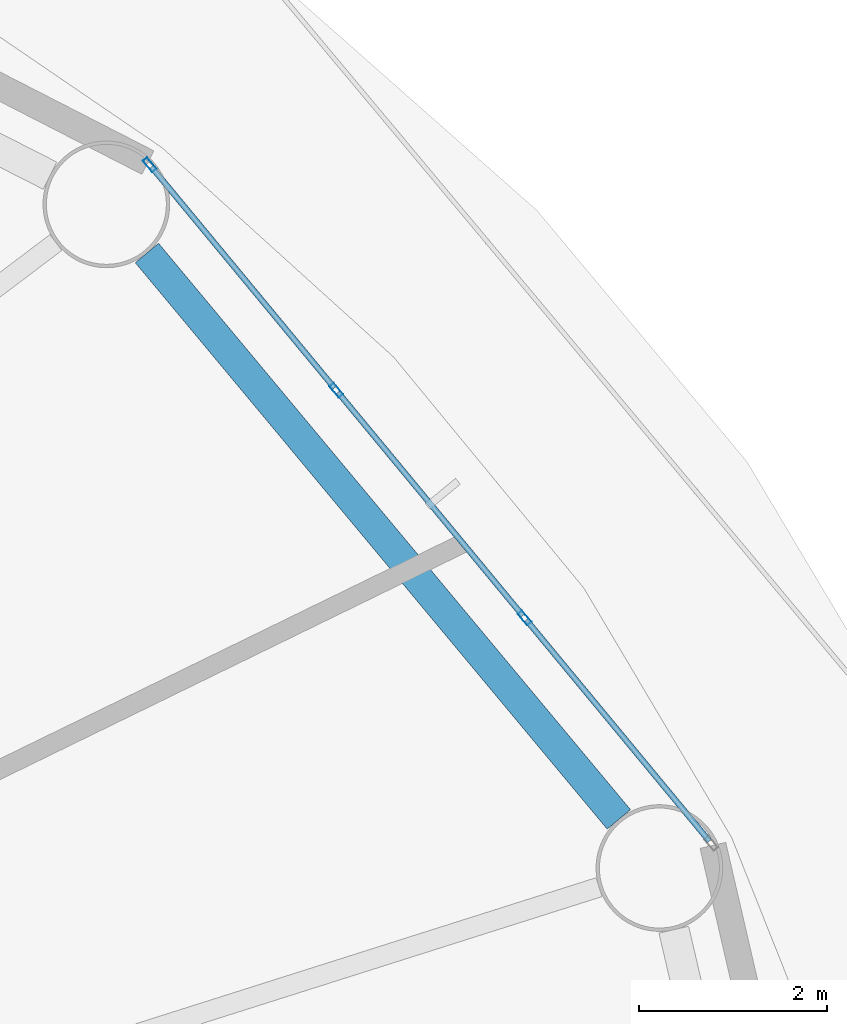
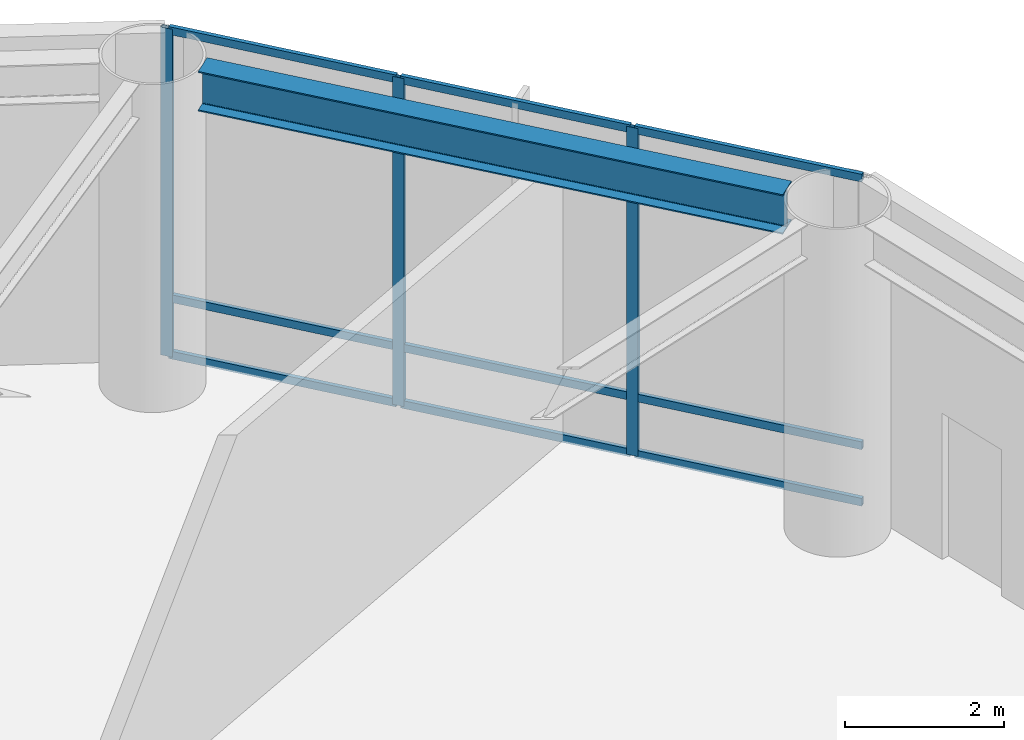
# One storey, part 15 of 25: 12 members, 1 beam, 1 element without a shape of its own.
"""IFC4 building model written with IfcOpenShell, lengths in metres."""

from ifc_helpers import new_model, si_unit, direction, frame, origin, origin_2d, place, context, subcontext, project, spatial, hollow_rectangle, i_section, extrude, material, layer, layer_set, material_profile, profile_set, type_object, element, aggregate, save


model = new_model("IFC4")

# Units and contexts
model_context = context("Model", 3, precision=1e-05, world=origin(), true_north=direction((0.0, 1.0)))
body_context = subcontext(model_context, "Body", "Model", "MODEL_VIEW")
ifc_project = project(units=[si_unit("LENGTHUNIT", "METRE"), si_unit("AREAUNIT", "SQUARE_METRE"), si_unit("VOLUMEUNIT", "CUBIC_METRE"), si_unit("PLANEANGLEUNIT", "RADIAN"), si_unit("MASSUNIT", "GRAM", prefix="KILO")], contexts=[model_context])

# Site, building, storey
site_placement = place(None, origin())
site = spatial("IfcSite", under=ifc_project, at=site_placement, CompositionType="ELEMENT")
building_placement = place(site_placement, origin())
building = spatial("IfcBuilding", under=site, at=building_placement, Name="Sarneth Arch Tower", CompositionType="ELEMENT")
storey_placement = place(building_placement, frame((0.0, 0.0, 134.39990234375)))
storey = spatial("IfcBuildingStorey", under=building, at=storey_placement, Name="L34", CompositionType="ELEMENT", Elevation=134.39990234375)

# Beam
ifc_material_1 = material(Name="Steel S355", Category="steel")
ifc_material_profile_1 = material_profile(ifc_material_1, i_section(OverallWidth=0.323974609375, OverallDepth=0.611083984375, WebThickness=0.0126953125, FlangeThickness=0.01904296875, FilletRadius=0.01904296875, at=origin_2d()), Name="W610x155")
ifc_profile_set_1 = profile_set([ifc_material_profile_1], Name="Steel S355")
beam_type = type_object("IfcBeamType", Name="BM-SPAN-610B", PredefinedType="SPANDREL", material=ifc_profile_set_1)
beam_placement = place(storey_placement, frame((73.859130859375, 50.861083984375, 4.74462890625), z_axis=(-0.640169116175, 0.768234015581, 0.0), x_axis=(-0.768234015581, -0.640169116175, 0.0)))
element("IfcBeam", 1, at=beam_placement, inside=storey, type_object=beam_type, Name="L34 Perimeter spandrel beam 02", PredefinedType="SPANDREL", context=body_context, shape_type="SweptSolid", body=[
    extrude(i_section(OverallWidth=0.323974609375, OverallDepth=0.611083984375, WebThickness=0.0126953125, FlangeThickness=0.01904296875, FilletRadius=0.01904296875, at=origin_2d()), origin(), (0.0, 0.0, 1.0), 7.856201171875),
])

# Curtain wall, members
ifc_material_2 = material(Name="Anodised aluminium Type AA25 and solar-control low-e laminated IGU", Category="aluminium")
ifc_layer = layer(ifc_material_2, 0.159912109375)
ifc_layer_set = layer_set([ifc_layer], Name="Anodised aluminium Type AA25 and solar-control low-e laminated IGU")
curtain_wall_type = type_object("IfcCurtainWallType", Name="CW-HOTEL-MID", PredefinedType="NOTDEFINED", material=ifc_layer_set)
curtain_wall_placement = place(storey_placement, origin())
curtain_wall = element("IfcCurtainWall", 2, at=curtain_wall_placement, inside=storey, type_object=curtain_wall_type, Name="L34 Unitised curtain wall facet 02", PredefinedType="NOTDEFINED")
ifc_material_3 = material(Name="Anodised Aluminium 6063-T6", Category="aluminium")
ifc_material_profile_2 = material_profile(ifc_material_3, hollow_rectangle(XDim=0.06005859375, YDim=0.159912109375, WallThickness=0.00390625, at=origin_2d()), Name="AL-MULL-160x60x4")
ifc_profile_set_2 = profile_set([ifc_material_profile_2], Name="Anodised Aluminium 6063-T6")
member_type_1 = type_object("IfcMemberType", Name="CW-MULLION", PredefinedType="MULLION", material=ifc_profile_set_2)
member_1_placement = place(storey_placement, frame((72.854248046875, 53.00927734375, 0.0), z_axis=(0.0, 0.0, 1.0), x_axis=(-0.770437787363, -0.637515188684, 0.0)))
member_1 = element("IfcMember", 3, at=member_1_placement, type_object=member_type_1, Name="CW-SYS-4 mullion 2", PredefinedType="MULLION", context=body_context, shape_type="SweptSolid", body=[
    extrude(hollow_rectangle(XDim=0.06005859375, YDim=0.159912109375, WallThickness=0.00390625, at=origin_2d()), origin(), (0.0, 0.0, 1.0), 5.050048828125),
])
member_2_placement = place(storey_placement, frame((70.84716796875, 55.434814453125, 0.0), z_axis=(0.0, 0.0, 1.0), x_axis=(-0.770437787363, -0.637515188684, 0.0)))
member_2 = element("IfcMember", 4, at=member_2_placement, type_object=member_type_1, Name="CW-SYS-4 mullion 3", PredefinedType="MULLION", context=body_context, shape_type="SweptSolid", body=[
    extrude(hollow_rectangle(XDim=0.06005859375, YDim=0.159912109375, WallThickness=0.00390625, at=origin_2d()), origin(), (0.0, 0.0, 1.0), 5.050048828125),
])
member_3_placement = place(storey_placement, frame((68.859130859375, 57.83740234375, 0.0), z_axis=(0.0, 0.0, 1.0), x_axis=(-0.770437787363, -0.637515188684, 0.0)))
member_3 = element("IfcMember", 5, at=member_3_placement, type_object=member_type_1, Name="CW-SYS-4 mullion 4", PredefinedType="MULLION", context=body_context, shape_type="SweptSolid", body=[
    extrude(hollow_rectangle(XDim=0.06005859375, YDim=0.159912109375, WallThickness=0.00390625, at=origin_2d()), origin(), (0.0, 0.0, 1.0), 5.050048828125),
])
ifc_material_4 = material(Name="Anodised Aluminium 6063-T6", Category="aluminium")
ifc_material_profile_3 = material_profile(ifc_material_4, hollow_rectangle(XDim=0.06005859375, YDim=0.1201171875, WallThickness=0.00390625, at=origin_2d()), Name="AL-TRAN-120x60x4")
ifc_profile_set_3 = profile_set([ifc_material_profile_3], Name="Anodised Aluminium 6063-T6")
member_type_2 = type_object("IfcMemberType", Name="CW-TRANSOM", PredefinedType="USERDEFINED", material=ifc_profile_set_3)
member_4_placement = place(storey_placement, frame((74.8232421875, 50.6298828125, 0.030029296875), z_axis=(-0.637566080343, 0.770395673142, 0.0), x_axis=(-0.770395673142, -0.637566080343, 0.0)))
member_4 = element("IfcMember", 6, at=member_4_placement, type_object=member_type_2, Name="CW-SYS-4 transom 1.1", ObjectType="TRANSOM", PredefinedType="USERDEFINED", context=body_context, shape_type="SweptSolid", body=[
    extrude(hollow_rectangle(XDim=0.06005859375, YDim=0.1201171875, WallThickness=0.00390625, at=origin_2d()), origin(), (0.0, 0.0, 1.0), 3.058349609375),
])
member_5_placement = place(storey_placement, frame((74.8232421875, 50.6298828125, 0.900146484375), z_axis=(-0.637566080343, 0.770395673142, 0.0), x_axis=(-0.770395673142, -0.637566080343, 0.0)))
member_5 = element("IfcMember", 7, at=member_5_placement, type_object=member_type_2, Name="CW-SYS-4 transom 1.2", ObjectType="TRANSOM", PredefinedType="USERDEFINED", context=body_context, shape_type="SweptSolid", body=[
    extrude(hollow_rectangle(XDim=0.06005859375, YDim=0.1201171875, WallThickness=0.00390625, at=origin_2d()), origin(), (0.0, 0.0, 1.0), 3.058349609375),
])
member_6_placement = place(storey_placement, frame((74.8232421875, 50.6298828125, 5.02001953125), z_axis=(-0.637566080343, 0.770395673142, 0.0), x_axis=(-0.770395673142, -0.637566080343, 0.0)))
member_6 = element("IfcMember", 8, at=member_6_placement, type_object=member_type_2, Name="CW-SYS-4 transom 1.3", ObjectType="TRANSOM", PredefinedType="USERDEFINED", context=body_context, shape_type="SweptSolid", body=[
    extrude(hollow_rectangle(XDim=0.06005859375, YDim=0.1201171875, WallThickness=0.00390625, at=origin_2d()), origin(), (0.0, 0.0, 1.0), 3.058349609375),
])
member_7_placement = place(storey_placement, frame((72.835205078125, 53.0322265625, 0.030029296875), z_axis=(-0.637536975021, 0.770419759275, 0.0), x_axis=(-0.770419759275, -0.637536975021, 0.0)))
member_7 = element("IfcMember", 9, at=member_7_placement, type_object=member_type_2, Name="CW-SYS-4 transom 2.1", ObjectType="TRANSOM", PredefinedType="USERDEFINED", context=body_context, shape_type="SweptSolid", body=[
    extrude(hollow_rectangle(XDim=0.06005859375, YDim=0.1201171875, WallThickness=0.00390625, at=origin_2d()), origin(), (0.0, 0.0, 1.0), 3.08837890625),
])
member_8_placement = place(storey_placement, frame((72.835205078125, 53.0322265625, 0.900146484375), z_axis=(-0.637536975021, 0.770419759275, 0.0), x_axis=(-0.770419759275, -0.637536975021, 0.0)))
member_8 = element("IfcMember", 10, at=member_8_placement, type_object=member_type_2, Name="CW-SYS-4 transom 2.2", ObjectType="TRANSOM", PredefinedType="USERDEFINED", context=body_context, shape_type="SweptSolid", body=[
    extrude(hollow_rectangle(XDim=0.06005859375, YDim=0.1201171875, WallThickness=0.00390625, at=origin_2d()), origin(), (0.0, 0.0, 1.0), 3.08837890625),
])
member_9_placement = place(storey_placement, frame((72.835205078125, 53.0322265625, 5.02001953125), z_axis=(-0.637536975021, 0.770419759275, 0.0), x_axis=(-0.770419759275, -0.637536975021, 0.0)))
member_9 = element("IfcMember", 11, at=member_9_placement, type_object=member_type_2, Name="CW-SYS-4 transom 2.3", ObjectType="TRANSOM", PredefinedType="USERDEFINED", context=body_context, shape_type="SweptSolid", body=[
    extrude(hollow_rectangle(XDim=0.06005859375, YDim=0.1201171875, WallThickness=0.00390625, at=origin_2d()), origin(), (0.0, 0.0, 1.0), 3.08837890625),
])
member_10_placement = place(storey_placement, frame((70.828125, 55.4580078125, 0.030029296875), z_axis=(-0.637566080343, 0.770395673142, 0.0), x_axis=(-0.770395673142, -0.637566080343, 0.0)))
member_10 = element("IfcMember", 12, at=member_10_placement, type_object=member_type_2, Name="CW-SYS-4 transom 3.1", ObjectType="TRANSOM", PredefinedType="USERDEFINED", context=body_context, shape_type="SweptSolid", body=[
    extrude(hollow_rectangle(XDim=0.06005859375, YDim=0.1201171875, WallThickness=0.00390625, at=origin_2d()), origin(), (0.0, 0.0, 1.0), 3.058349609375),
])
member_11_placement = place(storey_placement, frame((70.828125, 55.4580078125, 0.900146484375), z_axis=(-0.637566080343, 0.770395673142, 0.0), x_axis=(-0.770395673142, -0.637566080343, 0.0)))
member_11 = element("IfcMember", 13, at=member_11_placement, type_object=member_type_2, Name="CW-SYS-4 transom 3.2", ObjectType="TRANSOM", PredefinedType="USERDEFINED", context=body_context, shape_type="SweptSolid", body=[
    extrude(hollow_rectangle(XDim=0.06005859375, YDim=0.1201171875, WallThickness=0.00390625, at=origin_2d()), origin(), (0.0, 0.0, 1.0), 3.058349609375),
])
member_12_placement = place(storey_placement, frame((70.828125, 55.4580078125, 5.02001953125), z_axis=(-0.637566080343, 0.770395673142, 0.0), x_axis=(-0.770395673142, -0.637566080343, 0.0)))
member_12 = element("IfcMember", 14, at=member_12_placement, type_object=member_type_2, Name="CW-SYS-4 transom 3.3", ObjectType="TRANSOM", PredefinedType="USERDEFINED", context=body_context, shape_type="SweptSolid", body=[
    extrude(hollow_rectangle(XDim=0.06005859375, YDim=0.1201171875, WallThickness=0.00390625, at=origin_2d()), origin(), (0.0, 0.0, 1.0), 3.058349609375),
])
aggregate(curtain_wall, [member_1, member_2, member_3, member_4, member_5, member_6, member_7, member_8, member_9, member_10, member_11, member_12])

save(model, "model.ifc")
